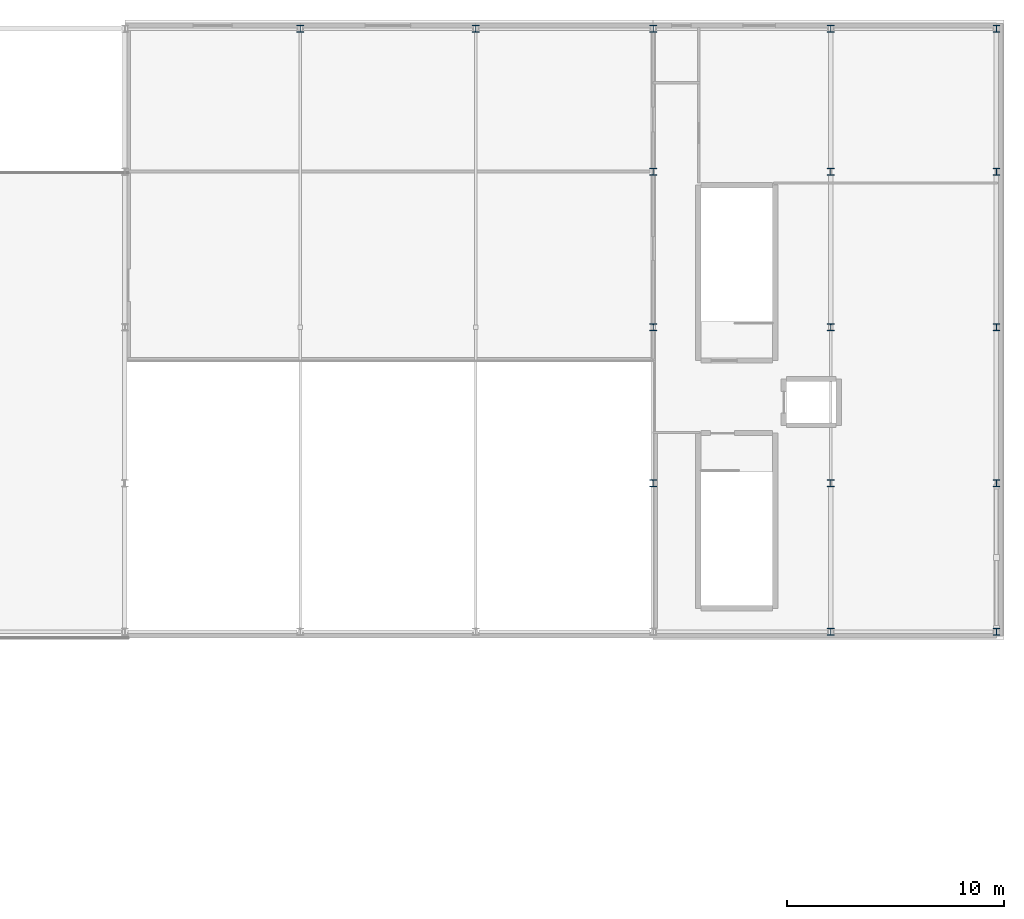
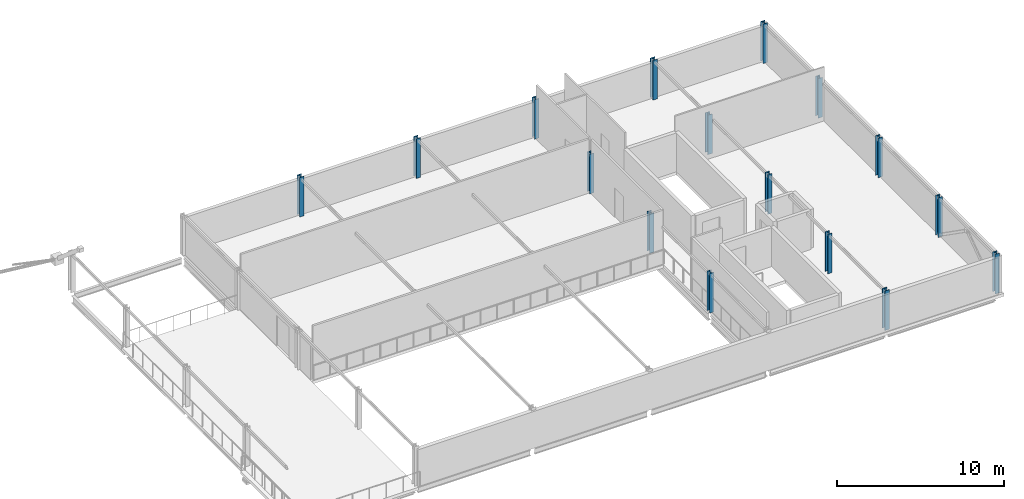
# One storey, part 5 of 60: 16 columns.
"""IFC4 building model written with IfcOpenShell, lengths in metres."""

import ifcopenshell
import ifcopenshell.guid

model = None  # the IFC model being written
_history = None  # IfcOwnerHistory: only IFC2X3 demands one
_inside = {}  # id of a spatial element -> (the spatial element, [elements in it])
_under = {}  # id of a project, library or spatial element -> (it, [spatial elements below it])
_declared = {}  # id of a project -> (the project, [libraries it declares])
_typed = {}  # id of a type object -> (the type object, [elements of that type])
_made_of = {}  # id of a material, layer set ... -> (it, [elements and type objects made of it])


def new_model(schema):
    """Start an empty IFC model of exactly this schema.

    Asked for "IFC4X3", IfcOpenShell would pick the latest addendum, in which some entities
    have other attributes; the version numbers below select the first issue.
    IFC2X3 requires an IfcOwnerHistory on every rooted entity: one is made here for all.
    """
    global model, _history
    if schema == "IFC4X3":
        model = ifcopenshell.file(schema_version=(4, 3, 0, 0))
    else:
        model = ifcopenshell.file(schema=schema)
    _inside.clear()
    _under.clear()
    _declared.clear()
    _typed.clear()
    _made_of.clear()
    _history = None
    if model.schema == "IFC2X3":
        org = make("IfcOrganization", Name="unknown")
        user = make(
            "IfcPersonAndOrganization",
            ThePerson=make("IfcPerson", FamilyName="unknown"),
            TheOrganization=org,
        )
        app = make(
            "IfcApplication",
            ApplicationDeveloper=org,
            Version="unknown",
            ApplicationFullName="unknown",
            ApplicationIdentifier="unknown",
        )
        _history = make(
            "IfcOwnerHistory",
            OwningUser=user,
            OwningApplication=app,
            ChangeAction="ADDED",
            CreationDate=0,
        )
    return model


def make(cls, **values):
    """One entity of the class cls with the attributes given. An attribute that is None is left unset."""
    return model.create_entity(
        cls, **{name: value for name, value in values.items() if value is not None}
    )


def rooted(cls, **values):
    """An entity with a GlobalId (a new one), such as an element, a storey or a relation."""
    return make(cls, GlobalId=ifcopenshell.guid.new(), OwnerHistory=_history, **values)


def si_unit(unit_type, name, prefix=None):
    """IfcSIUnit, for example si_unit("LENGTHUNIT", "METRE", prefix="MILLI")."""
    return make("IfcSIUnit", UnitType=unit_type, Prefix=prefix, Name=name)


def assignment(units):
    """IfcUnitAssignment: the units of a project."""
    return None if units is None else make("IfcUnitAssignment", Units=units)


def point(xyz):
    """IfcCartesianPoint."""
    return None if xyz is None else make("IfcCartesianPoint", Coordinates=xyz)


def direction(xyz):
    """IfcDirection."""
    return None if xyz is None else make("IfcDirection", DirectionRatios=xyz)


def frame(location, z_axis=None, x_axis=None):
    """IfcAxis2Placement3D, a coordinate frame: its origin and axes. An axis left out is left unset."""
    return make(
        "IfcAxis2Placement3D",
        Location=point(location),
        Axis=direction(z_axis),
        RefDirection=direction(x_axis),
    )


def frame_2d(location, x_axis=None):
    """IfcAxis2Placement2D, a coordinate frame in the plane: its origin and x axis."""
    return make(
        "IfcAxis2Placement2D", Location=point(location), RefDirection=direction(x_axis)
    )


def origin():
    """The frame at (0, 0, 0) with its axes left unset."""
    return frame((0.0, 0.0, 0.0))


def origin_2d():
    """The frame at (0, 0) in the plane with its x axis left unset."""
    return frame_2d((0.0, 0.0))


def place(relative_to, where):
    """IfcLocalPlacement: puts the frame where relative to a parent placement (None: the world)."""
    return make(
        "IfcLocalPlacement", PlacementRelTo=relative_to, RelativePlacement=where
    )


def context(
    kind, dimensions, precision=None, world=None, true_north=None, identifier=None
):
    """IfcGeometricRepresentationContext, for example the 3D "Model" context."""
    return make(
        "IfcGeometricRepresentationContext",
        ContextIdentifier=identifier,
        ContextType=kind,
        CoordinateSpaceDimension=dimensions,
        Precision=precision,
        WorldCoordinateSystem=world,
        TrueNorth=true_north,
    )


def subcontext(parent, identifier, kind, view, scale=None):
    """IfcGeometricRepresentationSubContext, for example "Body" below "Model"."""
    return make(
        "IfcGeometricRepresentationSubContext",
        ContextIdentifier=identifier,
        ContextType=kind,
        ParentContext=parent,
        TargetScale=scale,
        TargetView=view,
    )


def project(units=None, contexts=None):
    """IfcProject with its units and contexts."""
    return rooted(
        "IfcProject",
        Name="project",
        RepresentationContexts=contexts,
        UnitsInContext=assignment(units),
    )


def spatial(cls, under=None, at=None, **own):
    """A site, building, storey or space (cls), placed at a placement, below another one or the project."""
    s = rooted(cls, ObjectPlacement=at, **own)
    if under is not None:
        _under.setdefault(under.id(), (under, []))[1].append(s)
    return s


def profile(cls, at=None, kind="AREA", **sizes):
    """A parametric profile (cls). Its sizes go by their IFC names, for example OverallWidth=200.0."""
    return make(cls, ProfileType=kind, Position=at, **sizes)


def i_section(**sizes):
    """IfcIShapeProfileDef."""
    return profile("IfcIShapeProfileDef", **sizes)


def extrude(swept, where, along, depth):
    """IfcExtrudedAreaSolid: the profile swept, set in the frame where, extruded along a direction by depth."""
    return make(
        "IfcExtrudedAreaSolid",
        SweptArea=swept,
        Position=where,
        ExtrudedDirection=direction(along),
        Depth=depth,
    )


def shape(context_of_items, identifier, shape_type, items):
    """IfcShapeRepresentation: the items that make up one representation, for example the "Body"."""
    return make(
        "IfcShapeRepresentation",
        ContextOfItems=context_of_items,
        RepresentationIdentifier=identifier,
        RepresentationType=shape_type,
        Items=items,
    )


def material(Name=None, Category=None):
    """IfcMaterial."""
    return make("IfcMaterial", Name=Name, Category=Category)


def material_profile(
    of_material, cross_section, Name=None, Category=None, Priority=None
):
    """IfcMaterialProfile: a cross section and its material."""
    return make(
        "IfcMaterialProfile",
        Name=Name,
        Material=of_material,
        Profile=cross_section,
        Priority=Priority,
        Category=Category,
    )


def profile_set(profiles, Name=None, composite=None):
    """IfcMaterialProfileSet."""
    return make(
        "IfcMaterialProfileSet",
        Name=Name,
        MaterialProfiles=profiles,
        CompositeProfile=composite,
    )


def made_of(thing, what):
    """Note that an element or type object is made of a material, layer set ...; save() writes the relation."""
    if what is not None:
        _made_of.setdefault(what.id(), (what, []))[1].append(thing)
    return thing


def type_object(cls, material=None, **own):
    """A type object (cls), such as IfcWallType, which elements share."""
    return made_of(rooted(cls, **own), material)


def element(
    cls,
    number,
    at=None,
    inside=None,
    cuts=None,
    type_object=None,
    material=None,
    context=None,
    identifier="Body",
    shape_type=None,
    held_by="IfcProductDefinitionShape",
    body=None,
    shapes=None,
    **own,
):
    """One element of the class cls, such as IfcWall. Its Tag is "e" and its number.

    at: its placement. inside: the storey or other place that contains it. cuts: it is an
    opening in that element (IfcRelVoidsElement). A single representation is given by context,
    identifier, shape_type and body (its items); several are given by shapes. held_by: the class
    of the entity that holds the representations. save() writes the other relations.
    """
    e = rooted(cls, Tag="e%d" % number, ObjectPlacement=at, **own)
    if body is not None:
        shapes = [shape(context, identifier, shape_type, body)]
    if shapes is not None:
        e.Representation = make(held_by, Representations=shapes)
    if inside is not None:
        _inside.setdefault(inside.id(), (inside, []))[1].append(e)
    if cuts is not None:
        rooted(
            "IfcRelVoidsElement", RelatingBuildingElement=cuts, RelatedOpeningElement=e
        )
    if type_object is not None:
        _typed.setdefault(type_object.id(), (type_object, []))[1].append(e)
    return made_of(e, material)


def aggregate(whole, parts):
    """IfcRelAggregates: a whole, such as a stair, and the parts it consists of."""
    return rooted("IfcRelAggregates", RelatingObject=whole, RelatedObjects=parts)


def save(model, path):
    """Write the relations noted so far, then the file.

    IfcRelAggregates (storeys below a building ...), IfcRelContainedInSpatialStructure (elements
    in a storey), IfcRelDefinesByType, IfcRelAssociatesMaterial and IfcRelDeclares: one each for
    every whole, place, type object, material and project.
    """
    for whole, parts in _under.values():
        aggregate(whole, parts)
    for where, things in _inside.values():
        rooted(
            "IfcRelContainedInSpatialStructure",
            RelatedElements=things,
            RelatingStructure=where,
        )
    for kind, things in _typed.values():
        rooted("IfcRelDefinesByType", RelatedObjects=things, RelatingType=kind)
    for what, things in _made_of.values():
        rooted("IfcRelAssociatesMaterial", RelatedObjects=things, RelatingMaterial=what)
    for by, libraries in _declared.values():
        rooted("IfcRelDeclares", RelatingContext=by, RelatedDefinitions=libraries)
    model.write(path)


model = new_model("IFC4")

# Units and contexts
model_context = context("Model", 3, precision=1e-05, world=origin(), true_north=direction((0.0, 1.0)))
body_context = subcontext(model_context, "Body", "Model", "MODEL_VIEW")
ifc_project = project(units=[si_unit("LENGTHUNIT", "METRE"), si_unit("AREAUNIT", "SQUARE_METRE"), si_unit("VOLUMEUNIT", "CUBIC_METRE"), si_unit("PLANEANGLEUNIT", "RADIAN"), si_unit("MASSUNIT", "GRAM", prefix="KILO")], contexts=[model_context])

# Site, building, storey
site_placement = place(None, origin())
site = spatial("IfcSite", under=ifc_project, at=site_placement, CompositionType="ELEMENT")
building_placement = place(site_placement, origin())
building = spatial("IfcBuilding", under=site, at=building_placement, Name="Quillay Park Conservatory", CompositionType="ELEMENT")
storey_placement = place(building_placement, frame((0.0, 0.0, 9.89990234375)))
storey = spatial("IfcBuildingStorey", under=building, at=storey_placement, Name="L02", CompositionType="ELEMENT", Elevation=9.89990234375)

# Columns
ifc_material = material(Name="Steel ASTM A992 Grade 50", Category="steel")
ifc_material_profile = material_profile(ifc_material, i_section(OverallWidth=0.30908203125, OverallDepth=0.322998046875, WebThickness=0.013916015625, FlangeThickness=0.02294921875, FilletRadius=0.014892578125, at=origin_2d()), Name="W310x143")
ifc_profile_set = profile_set([ifc_material_profile], Name="Steel ASTM A992 Grade 50")
column_type = type_object("IfcColumnType", Name="COMPOSITE STEEL COLUMN W310 X143", PredefinedType="COLUMN", material=ifc_profile_set)
for number, where, z_axis, x_axis, name in (
    (1, (131.699951171875, 113.39990234375, 0.0), (0.0, 0.0, 1.0), (1.0, 0.0, 0.0), "L02 column COL-V2-L02-2-4"),
    (2, (139.800048828125, 113.39990234375, 0.0), (0.0, 0.0, 1.0), (1.0, 0.0, 0.0), "L02 column COL-V2-L02-3-4"),
    (3, (148.0, 92.39990234375, 0.0), (0.0, 0.0, 1.0), (1.0, 0.0, 0.0), "L02 column COL-V2-L02-4-1"),
    (4, (148.0, 99.60009765625, 0.0), (0.0, 0.0, 1.0), (1.0, 0.0, 0.0), "L02 column COL-V2-L02-4-2"),
    (5, (148.0, 106.800048828125, 0.0), (0.0, 0.0, 1.0), (1.0, 0.0, 0.0), "L02 column COL-V2-L02-4-3"),
    (6, (148.0, 113.39990234375, 0.0), (0.0, 0.0, 1.0), (1.0, 0.0, 0.0), "L02 column COL-V2-L02-4-4"),
    (7, (156.199951171875, 85.550048828125, 0.0), (0.0, 0.0, 1.0), (1.0, 0.0, 0.0), "L02 column COL-V2-L02-5-0"),
    (8, (156.199951171875, 92.39990234375, 0.0), (0.0, 0.0, 1.0), (1.0, 0.0, 0.0), "L02 column COL-V2-L02-5-1"),
    (9, (156.199951171875, 99.60009765625, 0.0), (0.0, 0.0, 1.0), (1.0, 0.0, 0.0), "L02 column COL-V2-L02-5-2"),
    (10, (156.199951171875, 106.800048828125, 0.0), (0.0, 0.0, 1.0), (1.0, 0.0, 0.0), "L02 column COL-V2-L02-5-3"),
    (11, (156.199951171875, 113.39990234375, 0.0), (0.0, 0.0, 1.0), (1.0, 0.0, 0.0), "L02 column COL-V2-L02-5-4"),
    (12, (163.85009765625, 85.550048828125, 0.0), (0.0, 0.0, 1.0), (1.0, 0.0, 0.0), "L02 column COL-V2-L02-6-0"),
    (13, (163.85009765625, 92.39990234375, 0.0), (0.0, 0.0, 1.0), (1.0, 0.0, 0.0), "L02 column COL-V2-L02-6-1"),
    (14, (163.85009765625, 99.60009765625, 0.0), (0.0, 0.0, 1.0), (1.0, 0.0, 0.0), "L02 column COL-V2-L02-6-2"),
    (15, (163.85009765625, 106.800048828125, 0.0), (0.0, 0.0, 1.0), (1.0, 0.0, 0.0), "L02 column COL-V2-L02-6-3"),
    (16, (163.85009765625, 113.39990234375, 0.0), (0.0, 0.0, 1.0), (1.0, 0.0, 0.0), "L02 column COL-V2-L02-6-4"),
):
    element("IfcColumn", number, at=place(storey_placement, frame(where, z_axis=z_axis, x_axis=x_axis)), inside=storey, type_object=column_type, Name=name, PredefinedType="COLUMN", context=body_context, shape_type="SweptSolid", body=[
        extrude(i_section(OverallWidth=0.30908203125, OverallDepth=0.322998046875, WebThickness=0.013916015625, FlangeThickness=0.02294921875, FilletRadius=0.014892578125, at=origin_2d()), origin(), (0.0, 0.0, 1.0), 2.900146484375),
    ])

save(model, "model.ifc")
